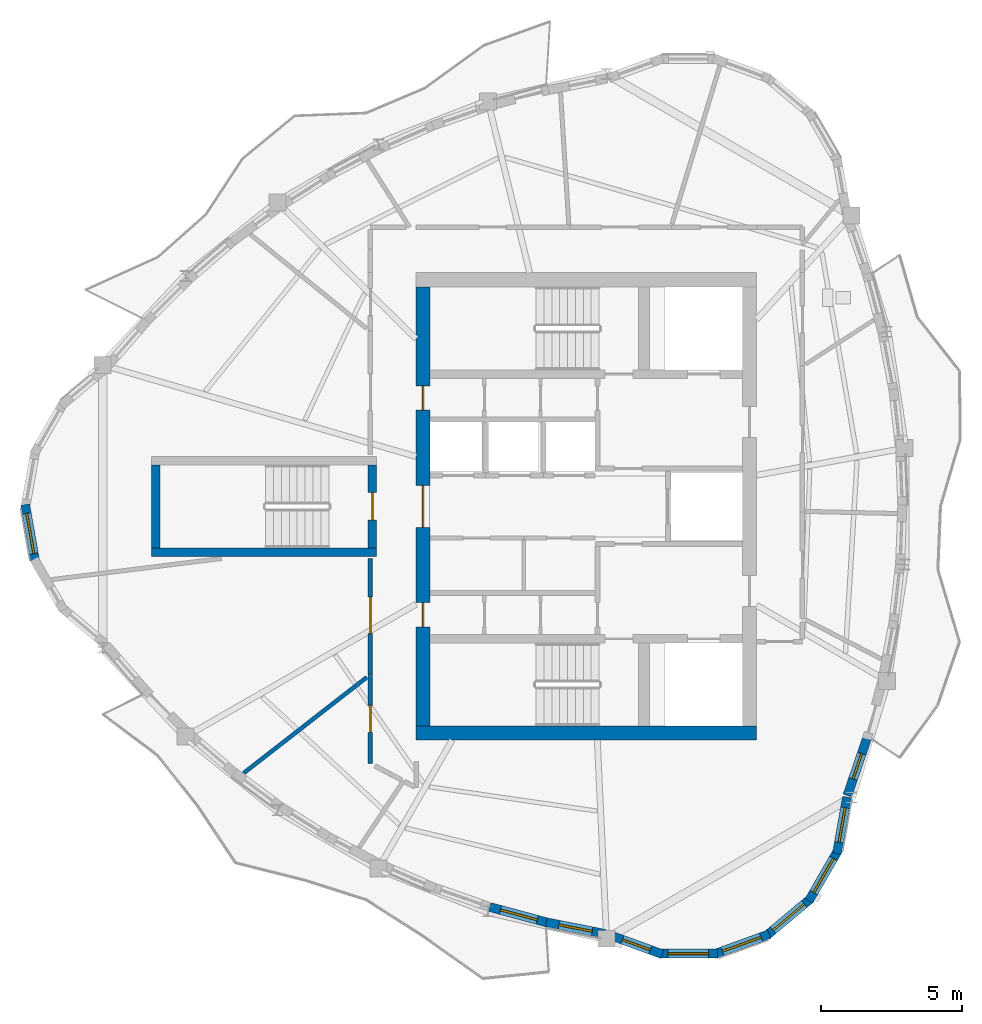
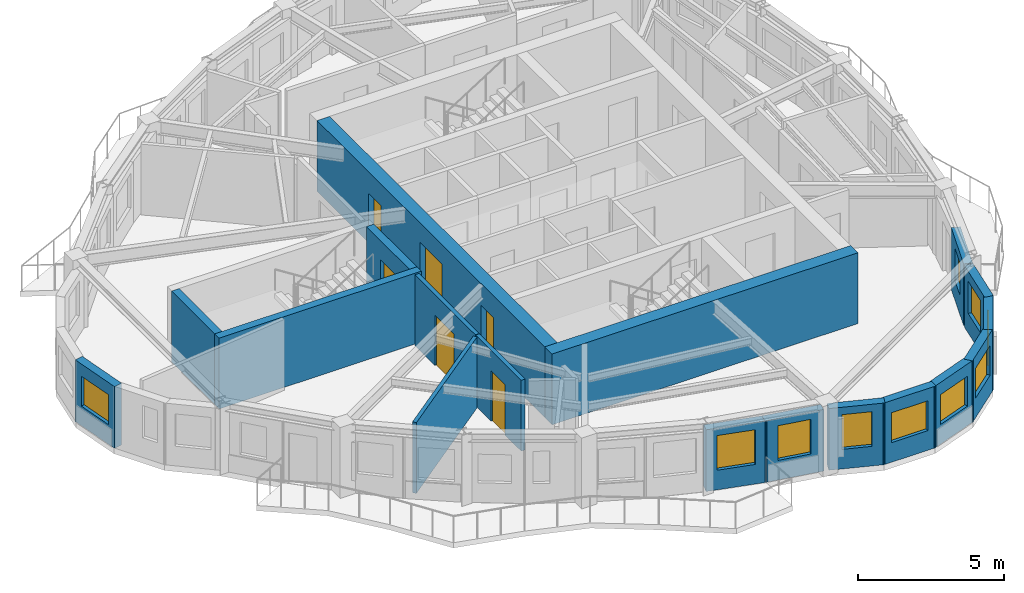
# One storey, part 3 of 11: 18 walls, 10 windows, 6 doors, 16 openings.
"""IFC4 building model written with IfcOpenShell, lengths in metres."""

from ifc_helpers import new_model, si_unit, direction, frame, frame_2d, origin, place, context, subcontext, project, spatial, rectangle, extrude, source, transform, mapped, material, layer, layer_set, type_object, element, fill, save


model = new_model("IFC4")

# Units and contexts
model_context = context("Model", 3, precision=1e-05, world=origin(), true_north=direction((0.0, 1.0)))
body_context = subcontext(model_context, "Body", "Model", "MODEL_VIEW")
ifc_project = project(units=[si_unit("LENGTHUNIT", "METRE"), si_unit("AREAUNIT", "SQUARE_METRE"), si_unit("VOLUMEUNIT", "CUBIC_METRE"), si_unit("PLANEANGLEUNIT", "RADIAN"), si_unit("MASSUNIT", "GRAM", prefix="KILO")], contexts=[model_context])

# Site, building, storey
site_placement = place(None, origin())
site = spatial("IfcSite", under=ifc_project, at=site_placement, CompositionType="ELEMENT")
building_placement = place(site_placement, origin())
building = spatial("IfcBuilding", under=site, at=building_placement, Name="Qafzar Sky-Pleat Residences", CompositionType="ELEMENT")
storey_placement = place(building_placement, frame((0.0, 0.0, 246.800048828125)))
storey = spatial("IfcBuildingStorey", under=building, at=storey_placement, Name="L74", CompositionType="ELEMENT", Elevation=246.800048828125)

# Wall, opening, door
ifc_material_1 = material(Name="Acoustic gypsum plasterboard partition", Category="gypsum")
ifc_layer_1 = layer(ifc_material_1, 0.159912109375)
ifc_layer_set_1 = layer_set([ifc_layer_1], Name="Acoustic gypsum plasterboard partition")
wall_type_1 = type_object("IfcWallType", Name="PART-COR-160", PredefinedType="PARTITIONING", material=ifc_layer_set_1)
wall_1_placement = place(storey_placement, frame((22.679931640625, 20.011962890625, 0.0), z_axis=(0.0, 0.0, 1.0), x_axis=(0.0, 1.0, 0.0)))
wall_1 = element("IfcWall", 1, at=wall_1_placement, inside=storey, type_object=wall_type_1, Name="L74 Partition Wall PART-L74-PW-004", PredefinedType="PARTITIONING", context=body_context, shape_type="SweptSolid", body=[
    extrude(rectangle(XDim=4.137939453125, YDim=0.159912109375, at=frame_2d((2.06884765625, 0.0))), origin(), (0.0, 0.0, 1.0), 2.9599609375),
])
opening_1_placement = place(wall_1_placement, frame((1.466064453125, 0.0, 0.0)))
opening_1 = element("IfcOpeningElement", 2, at=opening_1_placement, cuts=wall_1, Name="Opening ID-05", PredefinedType="OPENING", context=body_context, shape_type="SweptSolid", body=[
    extrude(rectangle(XDim=1.300048828125, YDim=2.10009765625, at=frame_2d((0.64990234375, 1.050048828125))), frame((0.0, 0.08984375, 0.0), z_axis=(0.0, -1.0, 0.0), x_axis=(1.0, 0.0, 0.0)), (0.0, 0.0, 1.0), 0.179931640625),
])
ifc_material_2 = material(Name="Timber-faced fire door", Category="wood")
door_type_1 = type_object("IfcDoorType", Name="DR-LNG-1300", OperationType="DOUBLE_DOOR_SINGLE_SWING", PredefinedType="DOOR", material=ifc_material_2)
shared_shape_1 = source(origin(), body_context, "Body", "SweptSolid", [
    extrude(rectangle(XDim=1.300048828125, YDim=2.10009765625, at=frame_2d((0.64990234375, 1.050048828125))), frame((0.0, 0.02490234375, 0.0), z_axis=(0.0, -1.0, 0.0), x_axis=(1.0, 0.0, 0.0)), (0.0, 0.0, 1.0), 0.050048828125),
])
door_1_placement = place(opening_1_placement, origin())
door_1 = element("IfcDoor", 3, at=door_1_placement, inside=storey, type_object=door_type_1, Name="L74 Research Conference Room Door", OperationType="DOUBLE_DOOR_SINGLE_SWING", OverallHeight=2.10009765625, OverallWidth=1.300048828125, PredefinedType="DOOR", context=body_context, shape_type="MappedRepresentation", body=[
    mapped(shared_shape_1, transform((0.0, 0.0, 0.0), x_axis=(1.0, 0.0, 0.0), y_axis=(0.0, 1.0, 0.0), z_axis=(0.0, 0.0, 1.0), scale=1.0)),
])
fill(opening_1, door_1)

wall_2_placement = place(storey_placement, frame((22.679931640625, 16.868896484375, 0.0), z_axis=(0.0, 0.0, 1.0), x_axis=(0.0, 1.0, 0.0)))
wall_2 = element("IfcWall", 4, at=wall_2_placement, inside=storey, type_object=wall_type_1, Name="L74 Partition Wall PART-L74-PW-008", PredefinedType="PARTITIONING", context=body_context, shape_type="SweptSolid", body=[
    extrude(rectangle(XDim=3.128173828125, YDim=0.159912109375, at=frame_2d((1.56396484375, 0.0))), origin(), (0.0, 0.0, 1.0), 2.9599609375),
])
opening_2_placement = place(wall_2_placement, frame((1.10107421875, 0.0, 0.0)))
opening_2 = element("IfcOpeningElement", 5, at=opening_2_placement, cuts=wall_2, Name="Opening ID-06", PredefinedType="OPENING", context=body_context, shape_type="SweptSolid", body=[
    extrude(rectangle(XDim=0.9599609375, YDim=2.10009765625, at=frame_2d((0.47998046875, 1.050048828125))), frame((0.0, 0.08984375, 0.0), z_axis=(0.0, -1.0, 0.0), x_axis=(1.0, 0.0, 0.0)), (0.0, 0.0, 1.0), 0.179931640625),
])
door_type_2 = type_object("IfcDoorType", Name="DR-STD-960", OperationType="NOTDEFINED", PredefinedType="DOOR", material=ifc_material_2)
shared_shape_2 = source(origin(), body_context, "Body", "SweptSolid", [
    extrude(rectangle(XDim=0.9599609375, YDim=2.10009765625, at=frame_2d((0.47998046875, 1.050048828125))), frame((0.0, 0.02490234375, 0.0), z_axis=(0.0, -1.0, 0.0), x_axis=(1.0, 0.0, 0.0)), (0.0, 0.0, 1.0), 0.050048828125),
])
door_2_placement = place(opening_2_placement, origin())
door_2 = element("IfcDoor", 6, at=door_2_placement, inside=storey, type_object=door_type_2, Name="L74 Wellness Yoga Studio Door", OperationType="SINGLE_SWING_LEFT", OverallHeight=2.10009765625, OverallWidth=0.9599609375, PredefinedType="DOOR", context=body_context, shape_type="MappedRepresentation", body=[
    mapped(shared_shape_2, transform((0.0, 0.0, 0.0), x_axis=(1.0, 0.0, 0.0), y_axis=(0.0, 1.0, 0.0), z_axis=(0.0, 0.0, 1.0), scale=1.0)),
])
fill(opening_2, door_2)

# Wall
ifc_layer_2 = layer(ifc_material_1, 0.14501953125)
ifc_layer_set_2 = layer_set([ifc_layer_2], Name="Acoustic gypsum plasterboard partition")
wall_type_2 = type_object("IfcWallType", Name="PART-UNIT-145", PredefinedType="PARTITIONING", material=ifc_layer_set_2)
wall_3_placement = place(storey_placement, frame((18.182373046875, 16.530517578125, 0.0), z_axis=(0.0, 0.0, 1.0), x_axis=(0.789162127136, 0.614184937209, 0.0)))
element("IfcWall", 7, at=wall_3_placement, inside=storey, type_object=wall_type_2, Name="L74 Partition Wall PART-L74-PW-014", PredefinedType="PARTITIONING", context=body_context, shape_type="SweptSolid", body=[
    extrude(rectangle(XDim=5.53369140625, YDim=0.14501953125, at=frame_2d((2.766845703125, 0.0))), origin(), (0.0, 0.0, 1.0), 2.9599609375),
])

# Wall, opening, window
ifc_material_3 = material(Name="Precast concrete C40/50 with honed Riyadh limestone", Category="concrete")
ifc_layer_3 = layer(ifc_material_3, 0.320068359375)
ifc_layer_set_3 = layer_set([ifc_layer_3], Name="Precast concrete C40/50 with honed Riyadh limestone")
wall_type_3 = type_object("IfcWallType", Name="WALL-EXT-320", PredefinedType="SOLIDWALL", material=ifc_layer_set_3)
wall_4_placement = place(storey_placement, frame((10.416015625, 26.065185546875, 0.0), z_axis=(0.0, 0.0, 1.0), x_axis=(0.173672066494, -0.984803540469, 0.0)))
wall_4 = element("IfcWall", 8, at=wall_4_placement, inside=storey, type_object=wall_type_3, Name="L74 Limestone Facade Wall 4", PredefinedType="SOLIDWALL", context=body_context, shape_type="SweptSolid", body=[
    extrude(rectangle(XDim=2.09033203125, YDim=0.320068359375, at=frame_2d((1.045166015625, 0.0))), origin(), (0.0, 0.0, 1.0), 2.579833984375),
])
opening_3_placement = place(wall_4_placement, frame((0.3203125, 0.0, 0.820068359375)))
opening_3 = element("IfcOpeningElement", 9, at=opening_3_placement, cuts=wall_4, Name="Opening WN-15", PredefinedType="OPENING", context=body_context, shape_type="SweptSolid", body=[
    extrude(rectangle(XDim=1.449951171875, YDim=1.25, at=frame_2d((0.72509765625, 0.625))), frame((0.0, 0.169921875, 0.0), z_axis=(0.0, -1.0, 0.0), x_axis=(1.0, 0.0, 0.0)), (0.0, 0.0, 1.0), 0.340087890625),
])
ifc_material_4 = material(Name="Solar-control low-E glass in bronze aluminium frame", Category="glass")
window_type_1 = type_object("IfcWindowType", Name="WIN-15", PartitioningType="SINGLE_PANEL", PredefinedType="WINDOW", material=ifc_material_4)
shared_shape_3 = source(origin(), body_context, "Body", "SweptSolid", [
    extrude(rectangle(XDim=1.449951171875, YDim=1.25, at=frame_2d((0.72509765625, 0.625))), frame((0.0, 0.030029296875, 0.0), z_axis=(0.0, -1.0, 0.0), x_axis=(1.0, 0.0, 0.0)), (0.0, 0.0, 1.0), 0.06005859375),
])
window_1_placement = place(opening_3_placement, origin())
window_1 = element("IfcWindow", 10, at=window_1_placement, inside=storey, type_object=window_type_1, Name="L74 Punched Facade Window 04", OverallHeight=1.25, OverallWidth=1.449951171875, PartitioningType="SINGLE_PANEL", PredefinedType="WINDOW", context=body_context, shape_type="MappedRepresentation", body=[
    mapped(shared_shape_3, transform((0.0, 0.0, 0.0), x_axis=(1.0, 0.0, 0.0), y_axis=(0.0, 1.0, 0.0), z_axis=(0.0, 0.0, 1.0), scale=1.0)),
])
fill(opening_3, window_1)

wall_5_placement = place(storey_placement, frame((26.919677734375, 11.76904296875, 0.0), z_axis=(0.0, 0.0, 1.0), x_axis=(0.965460407189, -0.260549807427, 0.0)))
wall_5 = element("IfcWall", 11, at=wall_5_placement, inside=storey, type_object=wall_type_3, Name="L74 Limestone Facade Wall 15", PredefinedType="SOLIDWALL", context=body_context, shape_type="SweptSolid", body=[
    extrude(rectangle(XDim=2.156982421875, YDim=0.320068359375, at=frame_2d((1.07861328125, 0.0))), origin(), (0.0, 0.0, 1.0), 2.579833984375),
])
opening_4_placement = place(wall_5_placement, frame((0.3935546875, 0.0, 0.820068359375)))
opening_4 = element("IfcOpeningElement", 12, at=opening_4_placement, cuts=wall_5, Name="Opening WN-04", PredefinedType="OPENING", context=body_context, shape_type="SweptSolid", body=[
    extrude(rectangle(XDim=1.35009765625, YDim=1.449951171875, at=frame_2d((0.675048828125, 0.72509765625))), frame((0.0, 0.169921875, 0.0), z_axis=(0.0, -1.0, 0.0), x_axis=(1.0, 0.0, 0.0)), (0.0, 0.0, 1.0), 0.340087890625),
])
window_type_2 = type_object("IfcWindowType", Name="WIN-04", PartitioningType="SINGLE_PANEL", PredefinedType="WINDOW", material=ifc_material_4)
shared_shape_4 = source(origin(), body_context, "Body", "SweptSolid", [
    extrude(rectangle(XDim=1.35009765625, YDim=1.449951171875, at=frame_2d((0.675048828125, 0.72509765625))), frame((0.0, 0.030029296875, 0.0), z_axis=(0.0, -1.0, 0.0), x_axis=(1.0, 0.0, 0.0)), (0.0, 0.0, 1.0), 0.06005859375),
])
window_2_placement = place(opening_4_placement, origin())
window_2 = element("IfcWindow", 13, at=window_2_placement, inside=storey, type_object=window_type_2, Name="L74 Punched Facade Window 15", OverallHeight=1.449951171875, OverallWidth=1.35009765625, PartitioningType="SINGLE_PANEL", PredefinedType="WINDOW", context=body_context, shape_type="MappedRepresentation", body=[
    mapped(shared_shape_4, transform((0.0, 0.0, 0.0), x_axis=(1.0, 0.0, 0.0), y_axis=(0.0, 1.0, 0.0), z_axis=(0.0, 0.0, 1.0), scale=1.0)),
])
fill(opening_4, window_2)

wall_6_placement = place(storey_placement, frame((28.91748046875, 11.226806640625, 0.0), z_axis=(0.0, 0.0, 1.0), x_axis=(0.98121826348, -0.192900802003, 0.0)))
wall_6 = element("IfcWall", 14, at=wall_6_placement, inside=storey, type_object=wall_type_3, Name="L74 Limestone Facade Wall 16", PredefinedType="SOLIDWALL", context=body_context, shape_type="SweptSolid", body=[
    extrude(rectangle(XDim=2.132568359375, YDim=0.320068359375, at=frame_2d((1.06640625, 0.0))), origin(), (0.0, 0.0, 1.0), 2.579833984375),
])
opening_5_placement = place(wall_6_placement, frame((0.471435546875, 0.0, 0.820068359375)))
opening_5 = element("IfcOpeningElement", 15, at=opening_5_placement, cuts=wall_6, Name="Opening WN-05", PredefinedType="OPENING", context=body_context, shape_type="SweptSolid", body=[
    extrude(rectangle(XDim=1.199951171875, YDim=1.449951171875, at=frame_2d((0.60009765625, 0.72509765625))), frame((0.0, 0.169921875, 0.0), z_axis=(0.0, -1.0, 0.0), x_axis=(1.0, 0.0, 0.0)), (0.0, 0.0, 1.0), 0.340087890625),
])
window_type_3 = type_object("IfcWindowType", Name="WIN-05", PartitioningType="SINGLE_PANEL", PredefinedType="WINDOW", material=ifc_material_4)
shared_shape_5 = source(origin(), body_context, "Body", "SweptSolid", [
    extrude(rectangle(XDim=1.199951171875, YDim=1.449951171875, at=frame_2d((0.60009765625, 0.72509765625))), frame((0.0, 0.030029296875, 0.0), z_axis=(0.0, -1.0, 0.0), x_axis=(1.0, 0.0, 0.0)), (0.0, 0.0, 1.0), 0.06005859375),
])
window_3_placement = place(opening_5_placement, origin())
window_3 = element("IfcWindow", 16, at=window_3_placement, inside=storey, type_object=window_type_3, Name="L74 Punched Facade Window 16", OverallHeight=1.449951171875, OverallWidth=1.199951171875, PartitioningType="SINGLE_PANEL", PredefinedType="WINDOW", context=body_context, shape_type="MappedRepresentation", body=[
    mapped(shared_shape_5, transform((0.0, 0.0, 0.0), x_axis=(1.0, 0.0, 0.0), y_axis=(0.0, 1.0, 0.0), z_axis=(0.0, 0.0, 1.0), scale=1.0)),
])
fill(opening_5, window_3)

wall_7_placement = place(storey_placement, frame((31.206787109375, 10.760498046875, 0.0), z_axis=(0.0, 0.0, 1.0), x_axis=(0.939735287239, -0.34190289545, 0.0)))
wall_7 = element("IfcWall", 17, at=wall_7_placement, inside=storey, type_object=wall_type_3, Name="L74 Limestone Facade Wall 17", PredefinedType="SOLIDWALL", context=body_context, shape_type="SweptSolid", body=[
    extrude(rectangle(XDim=1.962158203125, YDim=0.320068359375, at=frame_2d((0.98095703125, 0.0))), origin(), (0.0, 0.0, 1.0), 2.579833984375),
])
opening_6_placement = place(wall_7_placement, frame((0.451171875, 0.0, 0.820068359375)))
opening_6 = element("IfcOpeningElement", 18, at=opening_6_placement, cuts=wall_7, Name="Opening WN-06", PredefinedType="OPENING", context=body_context, shape_type="SweptSolid", body=[
    extrude(rectangle(XDim=1.050048828125, YDim=1.449951171875, at=frame_2d((0.52490234375, 0.72509765625))), frame((0.0, 0.169921875, 0.0), z_axis=(0.0, -1.0, 0.0), x_axis=(1.0, 0.0, 0.0)), (0.0, 0.0, 1.0), 0.340087890625),
])
window_type_4 = type_object("IfcWindowType", Name="WIN-06", PartitioningType="SINGLE_PANEL", PredefinedType="WINDOW", material=ifc_material_4)
shared_shape_6 = source(origin(), body_context, "Body", "SweptSolid", [
    extrude(rectangle(XDim=1.050048828125, YDim=1.449951171875, at=frame_2d((0.52490234375, 0.72509765625))), frame((0.0, 0.030029296875, 0.0), z_axis=(0.0, -1.0, 0.0), x_axis=(1.0, 0.0, 0.0)), (0.0, 0.0, 1.0), 0.06005859375),
])
window_4_placement = place(opening_6_placement, origin())
window_4 = element("IfcWindow", 19, at=window_4_placement, inside=storey, type_object=window_type_4, Name="L74 Punched Facade Window 17", OverallHeight=1.449951171875, OverallWidth=1.050048828125, PartitioningType="SINGLE_PANEL", PredefinedType="WINDOW", context=body_context, shape_type="MappedRepresentation", body=[
    mapped(shared_shape_6, transform((0.0, 0.0, 0.0), x_axis=(1.0, 0.0, 0.0), y_axis=(0.0, 1.0, 0.0), z_axis=(0.0, 0.0, 1.0), scale=1.0)),
])
fill(opening_6, window_4)

wall_8_placement = place(storey_placement, frame((32.92236328125, 10.112060546875, 0.0), z_axis=(0.0, 0.0, 1.0), x_axis=(1.0, 0.0, 0.0)))
wall_8 = element("IfcWall", 20, at=wall_8_placement, inside=storey, type_object=wall_type_3, Name="L74 Limestone Facade Wall 18", PredefinedType="SOLIDWALL", context=body_context, shape_type="SweptSolid", body=[
    extrude(rectangle(XDim=2.09033203125, YDim=0.320068359375, at=frame_2d((1.045166015625, 0.0))), origin(), (0.0, 0.0, 1.0), 2.579833984375),
])
opening_7_placement = place(wall_8_placement, frame((0.3203125, 0.0, 0.820068359375)))
opening_7 = element("IfcOpeningElement", 21, at=opening_7_placement, cuts=wall_8, Name="Opening WN-15", PredefinedType="OPENING", context=body_context, shape_type="SweptSolid", body=[
    extrude(rectangle(XDim=1.449951171875, YDim=1.25, at=frame_2d((0.72509765625, 0.625))), frame((0.0, 0.169921875, 0.0), z_axis=(0.0, -1.0, 0.0), x_axis=(1.0, 0.0, 0.0)), (0.0, 0.0, 1.0), 0.340087890625),
])
window_5_placement = place(opening_7_placement, origin())
window_5 = element("IfcWindow", 22, at=window_5_placement, inside=storey, type_object=window_type_1, Name="L74 Punched Facade Window 18", OverallHeight=1.25, OverallWidth=1.449951171875, PartitioningType="SINGLE_PANEL", PredefinedType="WINDOW", context=body_context, shape_type="MappedRepresentation", body=[
    mapped(shared_shape_3, transform((0.0, 0.0, 0.0), x_axis=(1.0, 0.0, 0.0), y_axis=(0.0, 1.0, 0.0), z_axis=(0.0, 0.0, 1.0), scale=1.0)),
])
fill(opening_7, window_5)

wall_9_placement = place(storey_placement, frame((34.88427734375, 10.089599609375, 0.0), z_axis=(0.0, 0.0, 1.0), x_axis=(0.93973543134, 0.341902499383, 0.0)))
wall_9 = element("IfcWall", 23, at=wall_9_placement, inside=storey, type_object=wall_type_3, Name="L74 Limestone Facade Wall 19", PredefinedType="SOLIDWALL", context=body_context, shape_type="SweptSolid", body=[
    extrude(rectangle(XDim=2.090087890625, YDim=0.320068359375, at=frame_2d((1.044921875, 0.0))), origin(), (0.0, 0.0, 1.0), 2.579833984375),
])
opening_8_placement = place(wall_9_placement, frame((0.320068359375, 0.0, 0.820068359375)))
opening_8 = element("IfcOpeningElement", 24, at=opening_8_placement, cuts=wall_9, Name="Opening WN-15", PredefinedType="OPENING", context=body_context, shape_type="SweptSolid", body=[
    extrude(rectangle(XDim=1.449951171875, YDim=1.25, at=frame_2d((0.72509765625, 0.625))), frame((0.0, 0.169921875, 0.0), z_axis=(0.0, -1.0, 0.0), x_axis=(1.0, 0.0, 0.0)), (0.0, 0.0, 1.0), 0.340087890625),
])
window_6_placement = place(opening_8_placement, origin())
window_6 = element("IfcWindow", 25, at=window_6_placement, inside=storey, type_object=window_type_1, Name="L74 Punched Facade Window 19", OverallHeight=1.25, OverallWidth=1.449951171875, PartitioningType="SINGLE_PANEL", PredefinedType="WINDOW", context=body_context, shape_type="MappedRepresentation", body=[
    mapped(shared_shape_3, transform((0.0, 0.0, 0.0), x_axis=(1.0, 0.0, 0.0), y_axis=(0.0, 1.0, 0.0), z_axis=(0.0, 0.0, 1.0), scale=1.0)),
])
fill(opening_8, window_6)

wall_10_placement = place(storey_placement, frame((36.735595703125, 10.739013671875, 0.0), z_axis=(0.0, 0.0, 1.0), x_axis=(0.766024572719, 0.642811289563, 0.0)))
wall_10 = element("IfcWall", 26, at=wall_10_placement, inside=storey, type_object=wall_type_3, Name="L74 Limestone Facade Wall 20", PredefinedType="SOLIDWALL", context=body_context, shape_type="SweptSolid", body=[
    extrude(rectangle(XDim=2.09033203125, YDim=0.320068359375, at=frame_2d((1.045166015625, 0.0))), origin(), (0.0, 0.0, 1.0), 2.579833984375),
])
opening_9_placement = place(wall_10_placement, frame((0.3203125, 0.0, 0.820068359375)))
opening_9 = element("IfcOpeningElement", 27, at=opening_9_placement, cuts=wall_10, Name="Opening WN-15", PredefinedType="OPENING", context=body_context, shape_type="SweptSolid", body=[
    extrude(rectangle(XDim=1.449951171875, YDim=1.25, at=frame_2d((0.72509765625, 0.625))), frame((0.0, 0.169921875, 0.0), z_axis=(0.0, -1.0, 0.0), x_axis=(1.0, 0.0, 0.0)), (0.0, 0.0, 1.0), 0.340087890625),
])
window_7_placement = place(opening_9_placement, origin())
window_7 = element("IfcWindow", 28, at=window_7_placement, inside=storey, type_object=window_type_1, Name="L74 Punched Facade Window 20", OverallHeight=1.25, OverallWidth=1.449951171875, PartitioningType="SINGLE_PANEL", PredefinedType="WINDOW", context=body_context, shape_type="MappedRepresentation", body=[
    mapped(shared_shape_3, transform((0.0, 0.0, 0.0), x_axis=(1.0, 0.0, 0.0), y_axis=(0.0, 1.0, 0.0), z_axis=(0.0, 0.0, 1.0), scale=1.0)),
])
fill(opening_9, window_7)

wall_11_placement = place(storey_placement, frame((38.2529296875, 11.98291015625, 0.0), z_axis=(0.0, 0.0, 1.0), x_axis=(0.499995423472, 0.866028046028, 0.0)))
wall_11 = element("IfcWall", 29, at=wall_11_placement, inside=storey, type_object=wall_type_3, Name="L74 Limestone Facade Wall 21", PredefinedType="SOLIDWALL", context=body_context, shape_type="SweptSolid", body=[
    extrude(rectangle(XDim=2.09033203125, YDim=0.320068359375, at=frame_2d((1.045166015625, 0.0))), origin(), (0.0, 0.0, 1.0), 2.579833984375),
])
opening_10_placement = place(wall_11_placement, frame((0.34521484375, 0.0, 0.820068359375)))
opening_10 = element("IfcOpeningElement", 30, at=opening_10_placement, cuts=wall_11, Name="Opening WN-10", PredefinedType="OPENING", context=body_context, shape_type="SweptSolid", body=[
    extrude(rectangle(XDim=1.39990234375, YDim=1.35009765625, at=frame_2d((0.699951171875, 0.675048828125))), frame((0.0, 0.169921875, 0.0), z_axis=(0.0, -1.0, 0.0), x_axis=(1.0, 0.0, 0.0)), (0.0, 0.0, 1.0), 0.340087890625),
])
window_type_5 = type_object("IfcWindowType", Name="WIN-10", PartitioningType="SINGLE_PANEL", PredefinedType="WINDOW", material=ifc_material_4)
shared_shape_7 = source(origin(), body_context, "Body", "SweptSolid", [
    extrude(rectangle(XDim=1.39990234375, YDim=1.35009765625, at=frame_2d((0.699951171875, 0.675048828125))), frame((0.0, 0.030029296875, 0.0), z_axis=(0.0, -1.0, 0.0), x_axis=(1.0, 0.0, 0.0)), (0.0, 0.0, 1.0), 0.06005859375),
])
window_8_placement = place(opening_10_placement, origin())
window_8 = element("IfcWindow", 31, at=window_8_placement, inside=storey, type_object=window_type_5, Name="L74 Punched Facade Window 21", OverallHeight=1.35009765625, OverallWidth=1.39990234375, PartitioningType="SINGLE_PANEL", PredefinedType="WINDOW", context=body_context, shape_type="MappedRepresentation", body=[
    mapped(shared_shape_7, transform((0.0, 0.0, 0.0), x_axis=(1.0, 0.0, 0.0), y_axis=(0.0, 1.0, 0.0), z_axis=(0.0, 0.0, 1.0), scale=1.0)),
])
fill(opening_10, window_8)

wall_12_placement = place(storey_placement, frame((39.25341796875, 13.670654296875, 0.0), z_axis=(0.0, 0.0, 1.0), x_axis=(0.17370309897, 0.984798067326, 0.0)))
wall_12 = element("IfcWall", 32, at=wall_12_placement, inside=storey, type_object=wall_type_3, Name="L74 Limestone Facade Wall 22", PredefinedType="SOLIDWALL", context=body_context, shape_type="SweptSolid", body=[
    extrude(rectangle(XDim=2.032470703125, YDim=0.320068359375, at=frame_2d((1.01611328125, 0.0))), origin(), (0.0, 0.0, 1.0), 2.579833984375),
])
opening_11_placement = place(wall_12_placement, frame((0.401123046875, 0.0, 0.820068359375)))
opening_11 = element("IfcOpeningElement", 33, at=opening_11_placement, cuts=wall_12, Name="Opening WN-11", PredefinedType="OPENING", context=body_context, shape_type="SweptSolid", body=[
    extrude(rectangle(XDim=1.25, YDim=1.35009765625, at=frame_2d((0.625, 0.675048828125))), frame((0.0, 0.169921875, 0.0), z_axis=(0.0, -1.0, 0.0), x_axis=(1.0, 0.0, 0.0)), (0.0, 0.0, 1.0), 0.340087890625),
])
window_type_6 = type_object("IfcWindowType", Name="WIN-11", PartitioningType="SINGLE_PANEL", PredefinedType="WINDOW", material=ifc_material_4)
shared_shape_8 = source(origin(), body_context, "Body", "SweptSolid", [
    extrude(rectangle(XDim=1.25, YDim=1.35009765625, at=frame_2d((0.625, 0.675048828125))), frame((0.0, 0.030029296875, 0.0), z_axis=(0.0, -1.0, 0.0), x_axis=(1.0, 0.0, 0.0)), (0.0, 0.0, 1.0), 0.06005859375),
])
window_9_placement = place(opening_11_placement, origin())
window_9 = element("IfcWindow", 34, at=window_9_placement, inside=storey, type_object=window_type_6, Name="L74 Punched Facade Window 22", OverallHeight=1.35009765625, OverallWidth=1.25, PartitioningType="SINGLE_PANEL", PredefinedType="WINDOW", context=body_context, shape_type="MappedRepresentation", body=[
    mapped(shared_shape_8, transform((0.0, 0.0, 0.0), x_axis=(1.0, 0.0, 0.0), y_axis=(0.0, 1.0, 0.0), z_axis=(0.0, 0.0, 1.0), scale=1.0)),
])
fill(opening_11, window_9)

wall_13_placement = place(storey_placement, frame((39.62255859375, 15.734619140625, 0.0), z_axis=(0.0, 0.0, 1.0), x_axis=(0.323632845992, 0.946182741861, 0.0)))
wall_13 = element("IfcWall", 35, at=wall_13_placement, inside=storey, type_object=wall_type_3, Name="L74 Limestone Facade Wall 23", PredefinedType="SOLIDWALL", context=body_context, shape_type="SweptSolid", body=[
    extrude(rectangle(XDim=2.202880859375, YDim=0.320068359375, at=frame_2d((1.1015625, 0.0))), origin(), (0.0, 0.0, 1.0), 2.579833984375),
])
opening_12_placement = place(wall_13_placement, frame((0.616455078125, 0.0, 0.820068359375)))
opening_12 = element("IfcOpeningElement", 36, at=opening_12_placement, cuts=wall_13, Name="Opening WN-12", PredefinedType="OPENING", context=body_context, shape_type="SweptSolid", body=[
    extrude(rectangle(XDim=0.949951171875, YDim=1.35009765625, at=frame_2d((0.47509765625, 0.675048828125))), frame((0.0, 0.169921875, 0.0), z_axis=(0.0, -1.0, 0.0), x_axis=(1.0, 0.0, 0.0)), (0.0, 0.0, 1.0), 0.340087890625),
])
window_type_7 = type_object("IfcWindowType", Name="WIN-12", PartitioningType="SINGLE_PANEL", PredefinedType="WINDOW", material=ifc_material_4)
shared_shape_9 = source(origin(), body_context, "Body", "SweptSolid", [
    extrude(rectangle(XDim=0.949951171875, YDim=1.35009765625, at=frame_2d((0.47509765625, 0.675048828125))), frame((0.0, 0.030029296875, 0.0), z_axis=(0.0, -1.0, 0.0), x_axis=(1.0, 0.0, 0.0)), (0.0, 0.0, 1.0), 0.06005859375),
])
window_10_placement = place(opening_12_placement, origin())
window_10 = element("IfcWindow", 37, at=window_10_placement, inside=storey, type_object=window_type_7, Name="L74 Punched Facade Window 23", OverallHeight=1.35009765625, OverallWidth=0.949951171875, PartitioningType="SINGLE_PANEL", PredefinedType="WINDOW", context=body_context, shape_type="MappedRepresentation", body=[
    mapped(shared_shape_9, transform((0.0, 0.0, 0.0), x_axis=(1.0, 0.0, 0.0), y_axis=(0.0, 1.0, 0.0), z_axis=(0.0, 0.0, 1.0), scale=1.0)),
])
fill(opening_12, window_10)

# Walls
ifc_material_5 = material(Name="Concrete C60/75", Category="concrete")
ifc_layer_4 = layer(ifc_material_5, 0.300048828125)
ifc_layer_set_4 = layer_set([ifc_layer_4], Name="Concrete C60/75")
wall_type_4 = type_object("IfcWallType", Name="WALL-SHEAR-300", PredefinedType="SHEAR", material=ifc_layer_set_4)
wall_14_placement = place(storey_placement, frame((14.89990234375, 24.375, 0.0), z_axis=(0.0, 0.0, 1.0), x_axis=(1.0, 0.0, 0.0)))
element("IfcWall", 38, at=wall_14_placement, inside=storey, type_object=wall_type_4, Name="L74 ST3 wall S", PredefinedType="SHEAR", context=body_context, shape_type="SweptSolid", body=[
    extrude(rectangle(XDim=8.0, YDim=0.300048828125, at=frame_2d((4.0, 0.0))), origin(), (0.0, 0.0, 1.0), 2.9599609375),
])
wall_15_placement = place(storey_placement, frame((15.050048828125, 27.47509765625, 0.0), z_axis=(0.0, 0.0, 1.0), x_axis=(0.0, -1.0, 0.0)))
element("IfcWall", 39, at=wall_15_placement, inside=storey, type_object=wall_type_4, Name="L74 ST3 wall W", PredefinedType="SHEAR", context=body_context, shape_type="SweptSolid", body=[
    extrude(rectangle(XDim=2.9501953125, YDim=0.300048828125, at=frame_2d((1.47509765625, 0.0))), origin(), (0.0, 0.0, 1.0), 2.9599609375),
])

# Wall, opening, door
wall_16_placement = place(storey_placement, frame((22.75, 24.52490234375, 0.0), z_axis=(0.0, 0.0, 1.0), x_axis=(0.0, 1.0, 0.0)))
wall_16 = element("IfcWall", 40, at=wall_16_placement, inside=storey, type_object=wall_type_4, Name="L74 ST3 wall E", PredefinedType="SHEAR", context=body_context, shape_type="SweptSolid", body=[
    extrude(rectangle(XDim=2.9501953125, YDim=0.300048828125, at=frame_2d((1.47509765625, 0.0))), origin(), (0.0, 0.0, 1.0), 2.9599609375),
])
opening_13_placement = place(wall_16_placement, frame((0.985107421875, 0.0, 0.0)))
opening_13 = element("IfcOpeningElement", 41, at=opening_13_placement, cuts=wall_16, Name="Opening ID-01", PredefinedType="OPENING", context=body_context, shape_type="SweptSolid", body=[
    extrude(rectangle(XDim=0.97998046875, YDim=2.14990234375, at=frame_2d((0.489990234375, 1.074951171875))), frame((0.0, 0.16015625, 0.0), z_axis=(0.0, -1.0, 0.0), x_axis=(1.0, 0.0, 0.0)), (0.0, 0.0, 1.0), 0.320068359375),
])
door_type_3 = type_object("IfcDoorType", Name="DR-STAIR-980", OperationType="NOTDEFINED", PredefinedType="DOOR", material=ifc_material_2)
shared_shape_10 = source(origin(), body_context, "Body", "SweptSolid", [
    extrude(rectangle(XDim=0.97998046875, YDim=2.14990234375, at=frame_2d((0.489990234375, 1.074951171875))), frame((0.0, 0.02490234375, 0.0), z_axis=(0.0, -1.0, 0.0), x_axis=(1.0, 0.0, 0.0)), (0.0, 0.0, 1.0), 0.050048828125),
])
door_3_placement = place(opening_13_placement, origin())
door_3 = element("IfcDoor", 42, at=door_3_placement, inside=storey, type_object=door_type_3, Name="L74 Stair ST3 Fire Door", OperationType="SINGLE_SWING_RIGHT", OverallHeight=2.14990234375, OverallWidth=0.97998046875, PredefinedType="DOOR", context=body_context, shape_type="MappedRepresentation", body=[
    mapped(shared_shape_10, transform((0.0, 0.0, 0.0), x_axis=(1.0, 0.0, 0.0), y_axis=(0.0, 1.0, 0.0), z_axis=(0.0, 0.0, 1.0), scale=1.0)),
])
fill(opening_13, door_3)

# Wall
ifc_layer_5 = layer(ifc_material_5, 0.5)
ifc_layer_set_5 = layer_set([ifc_layer_5], Name="Concrete C60/75")
wall_type_5 = type_object("IfcWallType", Name="WALL-SHEAR-500", PredefinedType="SHEAR", material=ifc_layer_set_5)
wall_17_placement = place(storey_placement, frame((24.300048828125, 17.949951171875, 0.0), z_axis=(0.0, 0.0, 1.0), x_axis=(1.0, 0.0, 0.0)))
element("IfcWall", 43, at=wall_17_placement, inside=storey, type_object=wall_type_5, Name="L74 CORE wall S", PredefinedType="SHEAR", context=body_context, shape_type="SweptSolid", body=[
    extrude(rectangle(XDim=12.099853515625, YDim=0.5, at=frame_2d((6.0498046875, 0.0))), origin(), (0.0, 0.0, 1.0), 2.9599609375),
])

# Wall, openings, doors
wall_18_placement = place(storey_placement, frame((24.550048828125, 33.800048828125, 0.0), z_axis=(0.0, 0.0, 1.0), x_axis=(0.0, -1.0, 0.0)))
wall_18 = element("IfcWall", 44, at=wall_18_placement, inside=storey, type_object=wall_type_5, Name="L74 CORE wall W", PredefinedType="SHEAR", context=body_context, shape_type="SweptSolid", body=[
    extrude(rectangle(XDim=15.60009765625, YDim=0.5, at=frame_2d((7.800048828125, 0.0))), origin(), (0.0, 0.0, 1.0), 2.9599609375),
])
opening_14_placement = place(wall_18_placement, frame((7.050048828125, 0.0, 0.0)))
opening_14 = element("IfcOpeningElement", 45, at=opening_14_placement, cuts=wall_18, Name="Opening ID-03", PredefinedType="OPENING", context=body_context, shape_type="SweptSolid", body=[
    extrude(rectangle(XDim=1.5, YDim=2.14990234375, at=frame_2d((0.75, 1.074951171875))), frame((0.0, 0.260009765625, 0.0), z_axis=(0.0, -1.0, 0.0), x_axis=(1.0, 0.0, 0.0)), (0.0, 0.0, 1.0), 0.52001953125),
])
opening_15_placement = place(wall_18_placement, frame((3.52001953125, 0.0, 0.0)))
opening_15 = element("IfcOpeningElement", 46, at=opening_15_placement, cuts=wall_18, Name="Opening ID-09", PredefinedType="OPENING", context=body_context, shape_type="SweptSolid", body=[
    extrude(rectangle(XDim=0.860107421875, YDim=2.050048828125, at=frame_2d((0.43017578125, 1.02490234375))), frame((0.0, 0.260009765625, 0.0), z_axis=(0.0, -1.0, 0.0), x_axis=(1.0, 0.0, 0.0)), (0.0, 0.0, 1.0), 0.52001953125),
])
opening_16_placement = place(wall_18_placement, frame((11.219970703125, 0.0, 0.0)))
opening_16 = element("IfcOpeningElement", 47, at=opening_16_placement, cuts=wall_18, Name="Opening ID-09", PredefinedType="OPENING", context=body_context, shape_type="SweptSolid", body=[
    extrude(rectangle(XDim=0.860107421875, YDim=2.050048828125, at=frame_2d((0.43017578125, 1.02490234375))), frame((0.0, 0.260009765625, 0.0), z_axis=(0.0, -1.0, 0.0), x_axis=(1.0, 0.0, 0.0)), (0.0, 0.0, 1.0), 0.52001953125),
])
door_type_4 = type_object("IfcDoorType", Name="DR-COR-1500", OperationType="DOUBLE_DOOR_SINGLE_SWING", PredefinedType="DOOR", material=ifc_material_2)
shared_shape_11 = source(origin(), body_context, "Body", "SweptSolid", [
    extrude(rectangle(XDim=1.5, YDim=2.14990234375, at=frame_2d((0.75, 1.074951171875))), frame((0.0, 0.02490234375, 0.0), z_axis=(0.0, -1.0, 0.0), x_axis=(1.0, 0.0, 0.0)), (0.0, 0.0, 1.0), 0.050048828125),
])
door_4_placement = place(opening_14_placement, origin())
door_4 = element("IfcDoor", 48, at=door_4_placement, inside=storey, type_object=door_type_4, Name="L74 Lift Lobby West Double Door", OperationType="DOUBLE_DOOR_SINGLE_SWING", OverallHeight=2.14990234375, OverallWidth=1.5, PredefinedType="DOOR", context=body_context, shape_type="MappedRepresentation", body=[
    mapped(shared_shape_11, transform((0.0, 0.0, 0.0), x_axis=(1.0, 0.0, 0.0), y_axis=(0.0, 1.0, 0.0), z_axis=(0.0, 0.0, 1.0), scale=1.0)),
])
fill(opening_14, door_4)
door_type_5 = type_object("IfcDoorType", Name="DR-SVC-860", OperationType="NOTDEFINED", PredefinedType="DOOR", material=ifc_material_2)
shared_shape_12 = source(origin(), body_context, "Body", "SweptSolid", [
    extrude(rectangle(XDim=0.860107421875, YDim=2.050048828125, at=frame_2d((0.43017578125, 1.02490234375))), frame((0.0, 0.02490234375, 0.0), z_axis=(0.0, -1.0, 0.0), x_axis=(1.0, 0.0, 0.0)), (0.0, 0.0, 1.0), 0.050048828125),
])
door_5_placement = place(opening_15_placement, origin())
door_5 = element("IfcDoor", 49, at=door_5_placement, inside=storey, type_object=door_type_5, Name="L74 Core North-West Service Door", OperationType="SINGLE_SWING_LEFT", OverallHeight=2.050048828125, OverallWidth=0.860107421875, PredefinedType="DOOR", context=body_context, shape_type="MappedRepresentation", body=[
    mapped(shared_shape_12, transform((0.0, 0.0, 0.0), x_axis=(1.0, 0.0, 0.0), y_axis=(0.0, 1.0, 0.0), z_axis=(0.0, 0.0, 1.0), scale=1.0)),
])
fill(opening_15, door_5)
door_6_placement = place(opening_16_placement, origin())
door_6 = element("IfcDoor", 50, at=door_6_placement, inside=storey, type_object=door_type_5, Name="L74 Core South-West Service Door", OperationType="SINGLE_SWING_RIGHT", OverallHeight=2.050048828125, OverallWidth=0.860107421875, PredefinedType="DOOR", context=body_context, shape_type="MappedRepresentation", body=[
    mapped(shared_shape_12, transform((0.0, 0.0, 0.0), x_axis=(1.0, 0.0, 0.0), y_axis=(0.0, 1.0, 0.0), z_axis=(0.0, 0.0, 1.0), scale=1.0)),
])
fill(opening_16, door_6)

save(model, "model.ifc")
